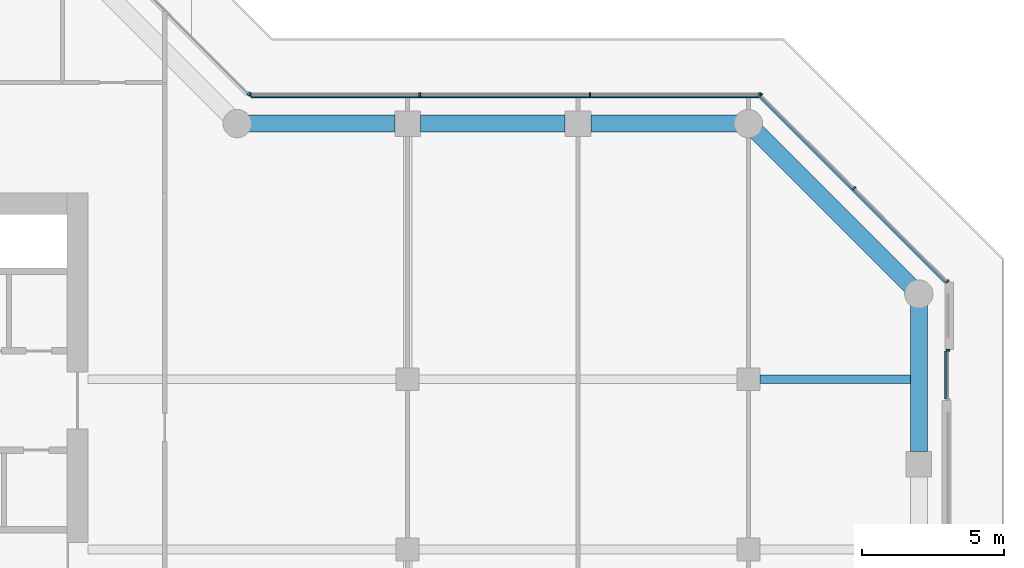
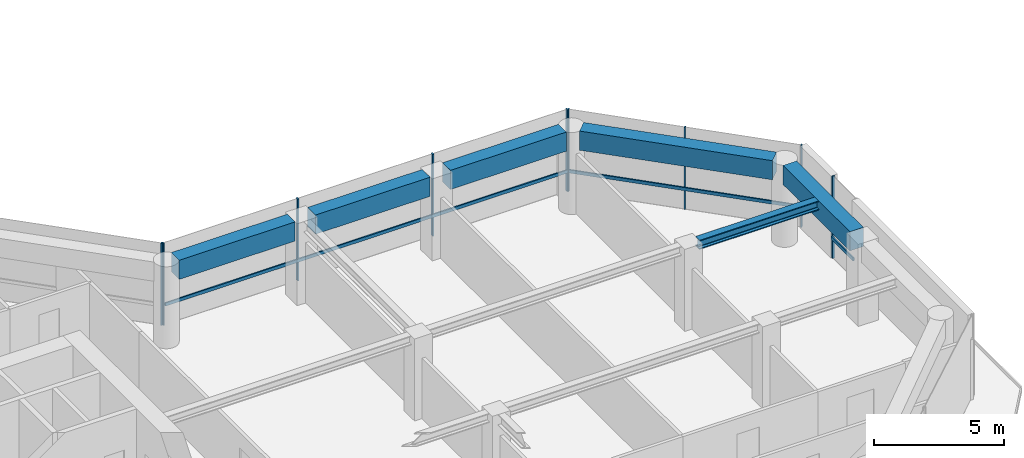
# One storey, part 8 of 23: 12 members, 6 beams, 4 elements without a shape of their own.
"""IFC4 building model written with IfcOpenShell, lengths in metres."""

from ifc_helpers import new_model, si_unit, direction, frame, origin, origin_2d, place, context, subcontext, project, spatial, rectangle, i_section, extrude, material, layer, layer_set, material_profile, profile_set, type_object, element, aggregate, save


model = new_model("IFC4")

# Units and contexts
model_context = context("Model", 3, precision=1e-05, world=origin(), true_north=direction((0.0, 1.0)))
body_context = subcontext(model_context, "Body", "Model", "MODEL_VIEW")
ifc_project = project(units=[si_unit("LENGTHUNIT", "METRE"), si_unit("AREAUNIT", "SQUARE_METRE"), si_unit("VOLUMEUNIT", "CUBIC_METRE"), si_unit("PLANEANGLEUNIT", "RADIAN"), si_unit("MASSUNIT", "GRAM", prefix="KILO")], contexts=[model_context])

# Site, building, storey
site_placement = place(None, origin())
site = spatial("IfcSite", under=ifc_project, at=site_placement, CompositionType="ELEMENT")
building_placement = place(site_placement, origin())
building = spatial("IfcBuilding", under=site, at=building_placement, Name="Welwitschia Terrace Campus", CompositionType="ELEMENT")
storey_placement = place(building_placement, frame((0.0, 0.0, 117.199951171875)))
storey = spatial("IfcBuildingStorey", under=building, at=storey_placement, Name="L26", CompositionType="ELEMENT", Elevation=117.199951171875)

# Beam
ifc_material_1 = material(Name="Steel S355", Category="steel")
ifc_material_profile_1 = material_profile(ifc_material_1, i_section(OverallWidth=0.306884765625, OverallDepth=0.431884765625, WebThickness=0.02099609375, FlangeThickness=0.0400390625, FilletRadius=0.027099609375, at=origin_2d()))
ifc_profile_set_1 = profile_set([ifc_material_profile_1], Name="Steel S355")
beam_type_1 = type_object("IfcBeamType", Name="Interior girder HE 400 M", PredefinedType="BEAM", material=ifc_profile_set_1)
beam_1_placement = place(storey_placement, frame((48.400390625, 19.0, 3.634033203125), z_axis=(1.0, 0.0, 0.0), x_axis=(0.0, 1.0, 0.0)))
element("IfcBeam", 1, at=beam_1_placement, inside=storey, type_object=beam_type_1, Name="Girder GB3", PredefinedType="BEAM", context=body_context, shape_type="SweptSolid", body=[
    extrude(i_section(OverallWidth=0.306884765625, OverallDepth=0.431884765625, WebThickness=0.02099609375, FlangeThickness=0.0400390625, FilletRadius=0.027099609375, at=origin_2d()), origin(), (0.0, 0.0, 1.0), 5.609619140625),
])

# Curtain wall, member
ifc_material_2 = material(Name="Bronze anodised aluminium", Category="aluminium")
ifc_layer = layer(ifc_material_2, 0.1201171875)
ifc_layer_set = layer_set([ifc_layer], Name="Bronze anodised aluminium")
curtain_wall_type = type_object("IfcCurtainWallType", Name="Curtain wall CW2 tower 6000", PredefinedType="NOTDEFINED", material=ifc_layer_set)
curtain_wall_1_placement = place(storey_placement, origin())
curtain_wall_1 = element("IfcCurtainWall", 2, at=curtain_wall_1_placement, inside=storey, type_object=curtain_wall_type, Name="CW L26.6.S0", PredefinedType="NOTDEFINED")
ifc_material_3 = material(Name="Bronze anodised aluminium", Category="aluminium")
ifc_material_profile_2 = material_profile(ifc_material_3, rectangle(XDim=0.1201171875, YDim=0.06005859375, at=origin_2d()))
ifc_profile_set_2 = profile_set([ifc_material_profile_2], Name="Bronze anodised aluminium")
member_type_1 = type_object("IfcMemberType", Name="Mullion 60x120", PredefinedType="MULLION", material=ifc_profile_set_2)
member_1_placement = place(storey_placement, frame((55.030029296875, 20.02294921875, 0.0), z_axis=(0.0, 0.0, 1.0), x_axis=(-1.0, 0.0, 0.0)))
member_1 = element("IfcMember", 3, at=member_1_placement, type_object=member_type_1, Name="Mullion L26.6.S0.1", PredefinedType="MULLION", context=body_context, shape_type="SweptSolid", body=[
    extrude(rectangle(XDim=0.1201171875, YDim=0.06005859375, at=origin_2d()), origin(), (0.0, 0.0, 1.0), 3.85009765625),
])

# Curtain wall, members
curtain_wall_2_placement = place(storey_placement, origin())
curtain_wall_2 = element("IfcCurtainWall", 4, at=curtain_wall_2_placement, inside=storey, type_object=curtain_wall_type, Name="CW L26.7.0", PredefinedType="NOTDEFINED")
member_2_placement = place(storey_placement, frame((55.0087890625, 22.44775390625, 0.0), z_axis=(0.0, 0.0, 1.0), x_axis=(-0.707106781187, -0.707106781187, 0.0)))
member_2 = element("IfcMember", 5, at=member_2_placement, type_object=member_type_1, Name="Mullion L26.7.0.0", PredefinedType="MULLION", context=body_context, shape_type="SweptSolid", body=[
    extrude(rectangle(XDim=0.1201171875, YDim=0.06005859375, at=origin_2d()), origin(), (0.0, 0.0, 1.0), 3.85009765625),
])
member_3_placement = place(storey_placement, frame((51.728271484375, 25.728271484375, 0.0), z_axis=(0.0, 0.0, 1.0), x_axis=(-0.707106781187, -0.707106781187, 0.0)))
member_3 = element("IfcMember", 6, at=member_3_placement, type_object=member_type_1, Name="Mullion L26.7.0.1", PredefinedType="MULLION", context=body_context, shape_type="SweptSolid", body=[
    extrude(rectangle(XDim=0.1201171875, YDim=0.06005859375, at=origin_2d()), origin(), (0.0, 0.0, 1.0), 3.85009765625),
])
member_4_placement = place(storey_placement, frame((48.44775390625, 29.0087890625, 0.0), z_axis=(0.0, 0.0, 1.0), x_axis=(-0.707106781187, -0.707106781187, 0.0)))
member_4 = element("IfcMember", 7, at=member_4_placement, type_object=member_type_1, Name="Mullion L26.7.0.2", PredefinedType="MULLION", context=body_context, shape_type="SweptSolid", body=[
    extrude(rectangle(XDim=0.1201171875, YDim=0.06005859375, at=origin_2d()), origin(), (0.0, 0.0, 1.0), 3.85009765625),
])

curtain_wall_3_placement = place(storey_placement, origin())
curtain_wall_3 = element("IfcCurtainWall", 8, at=curtain_wall_3_placement, inside=storey, type_object=curtain_wall_type, Name="CW L26.8.0", PredefinedType="NOTDEFINED")
member_5_placement = place(storey_placement, frame((48.396728515625, 29.030029296875, 0.0), z_axis=(0.0, 0.0, 1.0), x_axis=(0.0, -1.0, 0.0)))
member_5 = element("IfcMember", 9, at=member_5_placement, type_object=member_type_1, Name="Mullion L26.8.0.0", PredefinedType="MULLION", context=body_context, shape_type="SweptSolid", body=[
    extrude(rectangle(XDim=0.1201171875, YDim=0.06005859375, at=origin_2d()), origin(), (0.0, 0.0, 1.0), 3.85009765625),
])
member_6_placement = place(storey_placement, frame((42.4267578125, 29.030029296875, 0.0), z_axis=(0.0, 0.0, 1.0), x_axis=(0.0, -1.0, 0.0)))
member_6 = element("IfcMember", 10, at=member_6_placement, type_object=member_type_1, Name="Mullion L26.8.0.1", PredefinedType="MULLION", context=body_context, shape_type="SweptSolid", body=[
    extrude(rectangle(XDim=0.1201171875, YDim=0.06005859375, at=origin_2d()), origin(), (0.0, 0.0, 1.0), 3.85009765625),
])
member_7_placement = place(storey_placement, frame((36.4267578125, 29.030029296875, 0.0), z_axis=(0.0, 0.0, 1.0), x_axis=(0.0, -1.0, 0.0)))
member_7 = element("IfcMember", 11, at=member_7_placement, type_object=member_type_1, Name="Mullion L26.8.0.2", PredefinedType="MULLION", context=body_context, shape_type="SweptSolid", body=[
    extrude(rectangle(XDim=0.1201171875, YDim=0.06005859375, at=origin_2d()), origin(), (0.0, 0.0, 1.0), 3.85009765625),
])
member_8_placement = place(storey_placement, frame((30.45654296875, 29.030029296875, 0.0), z_axis=(0.0, 0.0, 1.0), x_axis=(0.0, -1.0, 0.0)))
member_8 = element("IfcMember", 12, at=member_8_placement, type_object=member_type_1, Name="Mullion L26.8.0.3", PredefinedType="MULLION", context=body_context, shape_type="SweptSolid", body=[
    extrude(rectangle(XDim=0.1201171875, YDim=0.06005859375, at=origin_2d()), origin(), (0.0, 0.0, 1.0), 3.85009765625),
])

# Curtain wall, member
curtain_wall_4_placement = place(storey_placement, origin())
curtain_wall_4 = element("IfcCurtainWall", 13, at=curtain_wall_4_placement, inside=storey, type_object=curtain_wall_type, Name="CW L26.9.0", PredefinedType="NOTDEFINED")
member_9_placement = place(storey_placement, frame((30.405517578125, 29.05126953125, 0.0), z_axis=(0.0, 0.0, 1.0), x_axis=(-0.707106781187, -0.707106781187, 0.0)))
member_9 = element("IfcMember", 14, at=member_9_placement, type_object=member_type_1, Name="Mullion L26.9.0.0", PredefinedType="MULLION", context=body_context, shape_type="SweptSolid", body=[
    extrude(rectangle(XDim=0.1201171875, YDim=0.06005859375, at=origin_2d()), origin(), (0.0, 0.0, 1.0), 3.85009765625),
])
aggregate(curtain_wall_4, [member_9])

# Beams
ifc_material_4 = material(Name="Concrete C60/75", Category="concrete")
ifc_material_profile_3 = material_profile(ifc_material_4, rectangle(XDim=0.60009765625, YDim=0.89990234375, at=origin_2d()))
ifc_profile_set_3 = profile_set([ifc_material_profile_3], Name="Concrete C60/75")
beam_type_2 = type_object("IfcBeamType", Name="Ring spandrel 600x900", PredefinedType="SPANDREL", material=ifc_profile_set_3)
beam_2_placement = place(storey_placement, frame((54.0, 16.450439453125, 3.400146484375), z_axis=(0.0, 1.0, 0.0), x_axis=(-1.0, 0.0, 0.0)))
element("IfcBeam", 15, at=beam_2_placement, inside=storey, type_object=beam_type_2, Name="Spandrel SP2", PredefinedType="SPANDREL", context=body_context, shape_type="SweptSolid", body=[
    extrude(rectangle(XDim=0.60009765625, YDim=0.89990234375, at=origin_2d()), origin(), (0.0, 0.0, 1.0), 5.149169921875),
])
beam_3_placement = place(storey_placement, frame((53.716796875, 22.283203125, 3.400146484375), z_axis=(-0.707106781187, 0.707106781187, 0.0), x_axis=(-0.707106781187, -0.707106781187, 0.0)))
element("IfcBeam", 16, at=beam_3_placement, inside=storey, type_object=beam_type_2, Name="Spandrel SP2", PredefinedType="SPANDREL", context=body_context, shape_type="SweptSolid", body=[
    extrude(rectangle(XDim=0.60009765625, YDim=0.89990234375, at=origin_2d()), origin(), (0.0, 0.0, 1.0), 7.684326171875),
])
beam_4_placement = place(storey_placement, frame((47.599609375, 28.0, 3.400146484375), z_axis=(-1.0, 0.0, 0.0), x_axis=(0.0, -1.0, 0.0)))
element("IfcBeam", 17, at=beam_4_placement, inside=storey, type_object=beam_type_2, Name="Spandrel SP2", PredefinedType="SPANDREL", context=body_context, shape_type="SweptSolid", body=[
    extrude(rectangle(XDim=0.60009765625, YDim=0.89990234375, at=origin_2d()), origin(), (0.0, 0.0, 1.0), 5.149169921875),
])
beam_5_placement = place(storey_placement, frame((41.549560546875, 28.0, 3.400146484375), z_axis=(-1.0, 0.0, 0.0), x_axis=(0.0, -1.0, 0.0)))
element("IfcBeam", 18, at=beam_5_placement, inside=storey, type_object=beam_type_2, Name="Spandrel SP2", PredefinedType="SPANDREL", context=body_context, shape_type="SweptSolid", body=[
    extrude(rectangle(XDim=0.60009765625, YDim=0.89990234375, at=origin_2d()), origin(), (0.0, 0.0, 1.0), 5.09912109375),
])
beam_6_placement = place(storey_placement, frame((35.549560546875, 28.0, 3.400146484375), z_axis=(-1.0, 0.0, 0.0), x_axis=(0.0, -1.0, 0.0)))
element("IfcBeam", 19, at=beam_6_placement, inside=storey, type_object=beam_type_2, Name="Spandrel SP2", PredefinedType="SPANDREL", context=body_context, shape_type="SweptSolid", body=[
    extrude(rectangle(XDim=0.60009765625, YDim=0.89990234375, at=origin_2d()), origin(), (0.0, 0.0, 1.0), 5.149169921875),
])

# Member
ifc_material_5 = material(Name="Bronze anodised aluminium", Category="aluminium")
ifc_material_profile_4 = material_profile(ifc_material_5, rectangle(XDim=0.06005859375, YDim=0.14990234375, at=origin_2d()))
ifc_profile_set_4 = profile_set([ifc_material_profile_4], Name="Bronze anodised aluminium")
member_type_2 = type_object("IfcMemberType", Name="Transom 60x150", PredefinedType="USERDEFINED", material=ifc_profile_set_4)
member_10_placement = place(storey_placement, frame((54.93994140625, 18.312744140625, 1.0), z_axis=(0.0, 1.0, 0.0), x_axis=(-1.0, 0.0, 0.0)))
member_10 = element("IfcMember", 20, at=member_10_placement, type_object=member_type_2, Name="Transom L26.6.S0", ObjectType="TRANSOM", PredefinedType="USERDEFINED", context=body_context, shape_type="SweptSolid", body=[
    extrude(rectangle(XDim=0.06005859375, YDim=0.14990234375, at=origin_2d()), origin(), (0.0, 0.0, 1.0), 1.68017578125),
])

aggregate(curtain_wall_1, [member_1, member_10])

member_11_placement = place(storey_placement, frame((54.923828125, 22.405517578125, 1.0), z_axis=(-0.707106781187, 0.707106781187, 0.0), x_axis=(-0.707106781187, -0.707106781187, 0.0)))
member_11 = element("IfcMember", 21, at=member_11_placement, type_object=member_type_2, Name="Transom L26.7.0", ObjectType="TRANSOM", PredefinedType="USERDEFINED", context=body_context, shape_type="SweptSolid", body=[
    extrude(rectangle(XDim=0.06005859375, YDim=0.14990234375, at=origin_2d()), origin(), (0.0, 0.0, 1.0), 9.21826171875),
])

aggregate(curtain_wall_2, [member_2, member_3, member_4, member_11])

member_12_placement = place(storey_placement, frame((48.36669921875, 28.93994140625, 1.0), z_axis=(-1.0, 0.0, 0.0), x_axis=(0.0, -1.0, 0.0)))
member_12 = element("IfcMember", 22, at=member_12_placement, type_object=member_type_2, Name="Transom L26.8.0", ObjectType="TRANSOM", PredefinedType="USERDEFINED", context=body_context, shape_type="SweptSolid", body=[
    extrude(rectangle(XDim=0.06005859375, YDim=0.14990234375, at=origin_2d()), origin(), (0.0, 0.0, 1.0), 17.880126953125),
])

aggregate(curtain_wall_3, [member_5, member_6, member_7, member_8, member_12])

save(model, "model.ifc")
